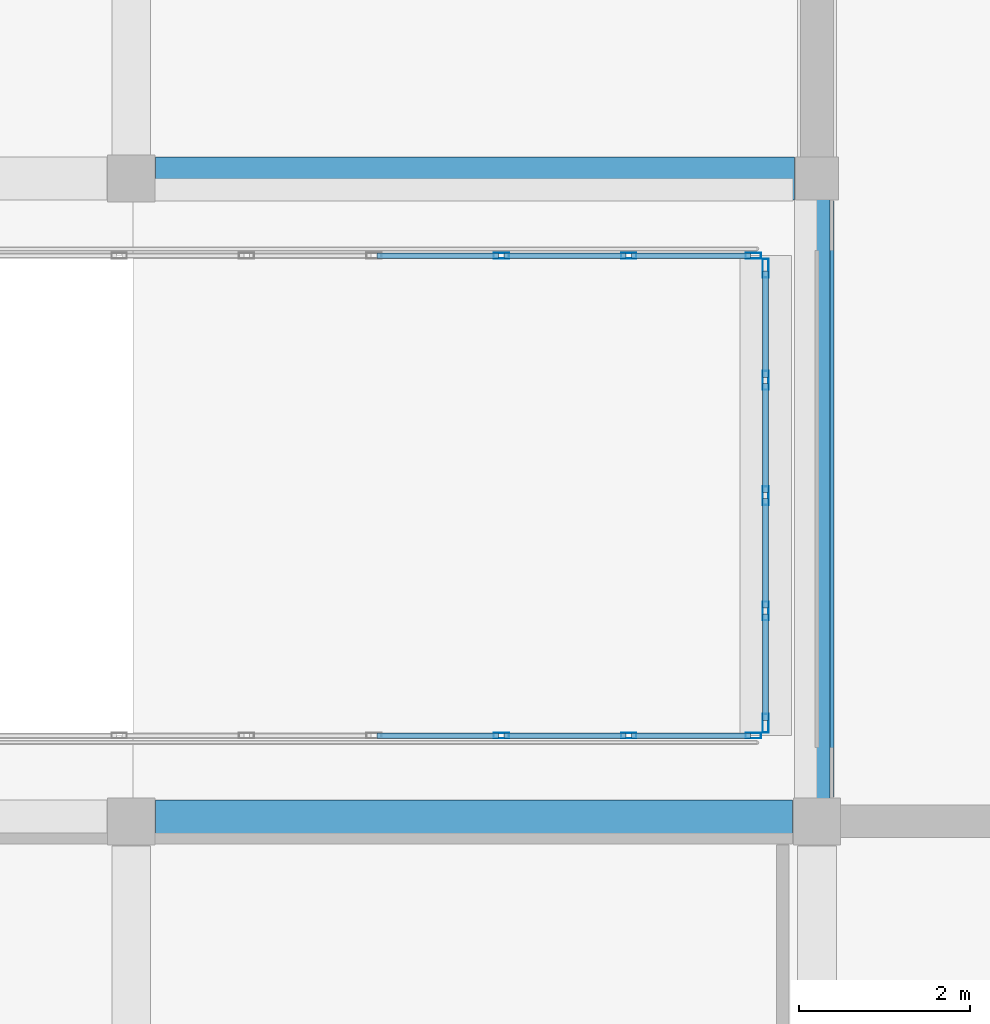
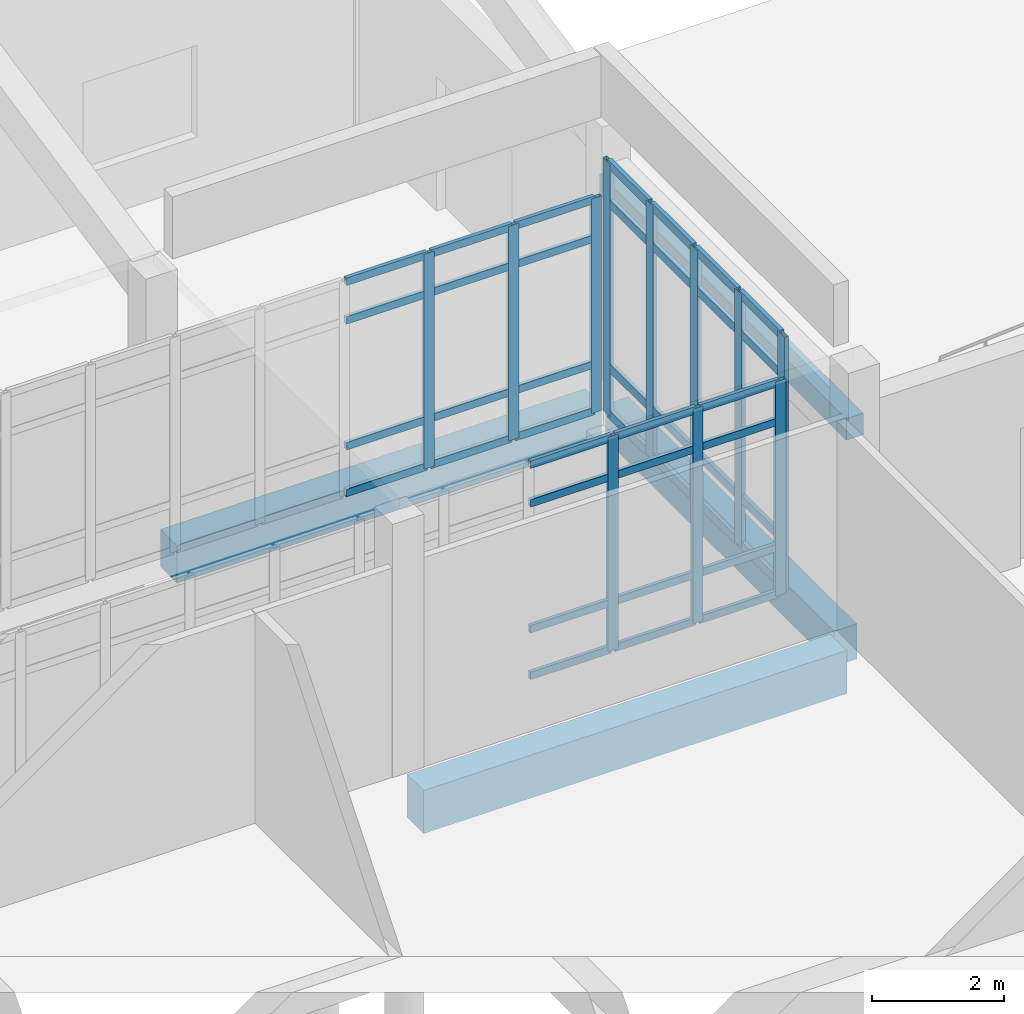
# One storey, part 119 of 173: 51 members, 4 beams, 3 elements without a shape of their own.
"""IFC4 building model written with IfcOpenShell, lengths in metres."""

from ifc_helpers import new_model, si_unit, direction, frame, origin, origin_2d, place, context, subcontext, project, spatial, rectangle, hollow_rectangle, extrude, material, layer, layer_set, material_profile, profile_set, type_object, element, aggregate, save


model = new_model("IFC4")

# Units and contexts
model_context = context("Model", 3, precision=1e-05, world=origin(), true_north=direction((0.0, 1.0)))
body_context = subcontext(model_context, "Body", "Model", "MODEL_VIEW")
ifc_project = project(units=[si_unit("LENGTHUNIT", "METRE"), si_unit("AREAUNIT", "SQUARE_METRE"), si_unit("VOLUMEUNIT", "CUBIC_METRE"), si_unit("PLANEANGLEUNIT", "RADIAN"), si_unit("MASSUNIT", "GRAM", prefix="KILO")], contexts=[model_context])

# Site, building, storey
site_placement = place(None, origin())
site = spatial("IfcSite", under=ifc_project, at=site_placement, CompositionType="ELEMENT")
building_placement = place(site_placement, origin())
building = spatial("IfcBuilding", under=site, at=building_placement, Name="Mawjan Specialist Oncology Clinic", CompositionType="ELEMENT")
storey_placement = place(building_placement, origin())
storey = spatial("IfcBuildingStorey", under=building, at=storey_placement, Name="L00", CompositionType="ELEMENT", Elevation=0.0)

# Beam
ifc_material_1 = material(Name="Concrete C45/55", Category="concrete")
ifc_material_profile_1 = material_profile(ifc_material_1, rectangle(XDim=0.5, YDim=0.800048828125, at=origin_2d()), Name="RC BM 500x800", Category="concrete")
ifc_profile_set_1 = profile_set([ifc_material_profile_1], Name="Concrete C45/55")
beam_type_1 = type_object("IfcBeamType", Name="BM-500x800", PredefinedType="BEAM", material=ifc_profile_set_1)
beam_1_placement = place(storey_placement, frame((140.284912109375, 98.300048828125, -0.85009765625), z_axis=(1.0, 0.0, 0.0), x_axis=(0.0, 1.0, 0.0)))
element("IfcBeam", 1, at=beam_1_placement, inside=storey, type_object=beam_type_1, Name="L00 Collector Beam BM-L00-0080", PredefinedType="BEAM", context=body_context, shape_type="SweptSolid", body=[
    extrude(rectangle(XDim=0.5, YDim=0.800048828125, at=origin_2d()), origin(), (0.0, 0.0, 1.0), 7.43017578125),
])

# Curtain wall, members
ifc_material_2 = material(Name="Unitised spectrally selective aluminium curtain wall", Category="aluminium")
ifc_layer_1 = layer(ifc_material_2, 0.179931640625, Name="Unitised spectrally selective aluminium curtain wall", Category="aluminium")
ifc_layer_set_1 = layer_set([ifc_layer_1], Name="Unitised spectrally selective aluminium curtain wall")
curtain_wall_type_1 = type_object("IfcCurtainWallType", Name="CW-33", PredefinedType="NOTDEFINED", material=ifc_layer_set_1)
curtain_wall_1_placement = place(storey_placement, origin())
curtain_wall_1 = element("IfcCurtainWall", 2, at=curtain_wall_1_placement, inside=storey, type_object=curtain_wall_type_1, Name="L00 Unitised Curtain Wall CW-L00-072", PredefinedType="NOTDEFINED")
ifc_material_3 = material(Name="Thermally broken aluminium 6063-T6", Category="aluminium")
ifc_material_profile_2 = material_profile(ifc_material_3, hollow_rectangle(XDim=0.06494140625, YDim=0.179931640625, WallThickness=0.00390625, at=origin_2d()), Name="ALU MULLION 180x65x4", Category="aluminium")
ifc_profile_set_2 = profile_set([ifc_material_profile_2], Name="Thermally broken aluminium 6063-T6")
member_type_1 = type_object("IfcMemberType", Name="CW-M180", PredefinedType="MULLION", material=ifc_profile_set_2)
member_1_placement = place(storey_placement, frame((147.257568359375, 104.89990234375, 0.0), z_axis=(0.0, 0.0, 1.0), x_axis=(0.0, -1.0, 0.0)))
member_1 = element("IfcMember", 3, at=member_1_placement, type_object=member_type_1, Name="CW-33 mullion 1", PredefinedType="MULLION", context=body_context, shape_type="SweptSolid", body=[
    extrude(hollow_rectangle(XDim=0.06494140625, YDim=0.179931640625, WallThickness=0.00390625, at=origin_2d()), origin(), (0.0, 0.0, 1.0), 3.985107421875),
])
member_2_placement = place(storey_placement, frame((145.803955078125, 104.89990234375, 0.0), z_axis=(0.0, 0.0, 1.0), x_axis=(0.0, -1.0, 0.0)))
member_2 = element("IfcMember", 4, at=member_2_placement, type_object=member_type_1, Name="CW-33 mullion 2", PredefinedType="MULLION", context=body_context, shape_type="SweptSolid", body=[
    extrude(hollow_rectangle(XDim=0.06494140625, YDim=0.179931640625, WallThickness=0.00390625, at=origin_2d()), origin(), (0.0, 0.0, 1.0), 3.985107421875),
])
member_3_placement = place(storey_placement, frame((144.31787109375, 104.89990234375, 0.0), z_axis=(0.0, 0.0, 1.0), x_axis=(0.0, -1.0, 0.0)))
member_3 = element("IfcMember", 5, at=member_3_placement, type_object=member_type_1, Name="CW-33 mullion 3", PredefinedType="MULLION", context=body_context, shape_type="SweptSolid", body=[
    extrude(hollow_rectangle(XDim=0.06494140625, YDim=0.179931640625, WallThickness=0.00390625, at=origin_2d()), origin(), (0.0, 0.0, 1.0), 3.985107421875),
])

curtain_wall_2_placement = place(storey_placement, origin())
curtain_wall_2 = element("IfcCurtainWall", 6, at=curtain_wall_2_placement, inside=storey, type_object=curtain_wall_type_1, Name="L00 Unitised Curtain Wall CW-L00-074", PredefinedType="NOTDEFINED")
member_4_placement = place(storey_placement, frame((144.31787109375, 99.300048828125, 0.0), z_axis=(0.0, 0.0, 1.0), x_axis=(0.0, 1.0, 0.0)))
member_4 = element("IfcMember", 7, at=member_4_placement, type_object=member_type_1, Name="CW-33 mullion 22", PredefinedType="MULLION", context=body_context, shape_type="SweptSolid", body=[
    extrude(hollow_rectangle(XDim=0.06494140625, YDim=0.179931640625, WallThickness=0.00390625, at=origin_2d()), origin(), (0.0, 0.0, 1.0), 3.985107421875),
])
member_5_placement = place(storey_placement, frame((145.803955078125, 99.300048828125, 0.0), z_axis=(0.0, 0.0, 1.0), x_axis=(0.0, 1.0, 0.0)))
member_5 = element("IfcMember", 8, at=member_5_placement, type_object=member_type_1, Name="CW-33 mullion 23", PredefinedType="MULLION", context=body_context, shape_type="SweptSolid", body=[
    extrude(hollow_rectangle(XDim=0.06494140625, YDim=0.179931640625, WallThickness=0.00390625, at=origin_2d()), origin(), (0.0, 0.0, 1.0), 3.985107421875),
])
member_6_placement = place(storey_placement, frame((147.257568359375, 99.300048828125, 0.0), z_axis=(0.0, 0.0, 1.0), x_axis=(0.0, 1.0, 0.0)))
member_6 = element("IfcMember", 9, at=member_6_placement, type_object=member_type_1, Name="CW-33 mullion 24", PredefinedType="MULLION", context=body_context, shape_type="SweptSolid", body=[
    extrude(hollow_rectangle(XDim=0.06494140625, YDim=0.179931640625, WallThickness=0.00390625, at=origin_2d()), origin(), (0.0, 0.0, 1.0), 3.985107421875),
])

ifc_material_4 = material(Name="Unitised spectrally selective aluminium curtain wall", Category="aluminium")
ifc_layer_2 = layer(ifc_material_4, 0.179931640625, Name="Unitised spectrally selective aluminium curtain wall", Category="aluminium")
ifc_layer_set_2 = layer_set([ifc_layer_2], Name="Unitised spectrally selective aluminium curtain wall")
curtain_wall_type_2 = type_object("IfcCurtainWallType", Name="CW-32", PredefinedType="NOTDEFINED", material=ifc_layer_set_2)
curtain_wall_3_placement = place(storey_placement, origin())
curtain_wall_3 = element("IfcCurtainWall", 10, at=curtain_wall_3_placement, inside=storey, type_object=curtain_wall_type_2, Name="L00 Unitised Curtain Wall CW-L00-071", PredefinedType="NOTDEFINED")
ifc_material_5 = material(Name="Thermally broken aluminium 6063-T6", Category="aluminium")
ifc_material_profile_3 = material_profile(ifc_material_5, hollow_rectangle(XDim=0.070068359375, YDim=0.219970703125, WallThickness=0.00390625, at=origin_2d()), Name="ALU MULLION 220x70x4", Category="aluminium")
ifc_profile_set_3 = profile_set([ifc_material_profile_3], Name="Thermally broken aluminium 6063-T6")
member_type_2 = type_object("IfcMemberType", Name="CW-M220", PredefinedType="MULLION", material=ifc_profile_set_3)
member_7_placement = place(storey_placement, frame((147.39990234375, 99.445068359375, 0.0), z_axis=(0.0, 0.0, 1.0), x_axis=(-1.0, 0.0, 0.0)))
member_7 = element("IfcMember", 11, at=member_7_placement, type_object=member_type_2, Name="CW-32 mullion 1", PredefinedType="MULLION", context=body_context, shape_type="SweptSolid", body=[
    extrude(hollow_rectangle(XDim=0.070068359375, YDim=0.219970703125, WallThickness=0.00390625, at=origin_2d()), origin(), (0.0, 0.0, 1.0), 4.699951171875),
])
member_8_placement = place(storey_placement, frame((147.39990234375, 100.7548828125, 0.0), z_axis=(0.0, 0.0, 1.0), x_axis=(-1.0, 0.0, 0.0)))
member_8 = element("IfcMember", 12, at=member_8_placement, type_object=member_type_2, Name="CW-32 mullion 2", PredefinedType="MULLION", context=body_context, shape_type="SweptSolid", body=[
    extrude(hollow_rectangle(XDim=0.070068359375, YDim=0.219970703125, WallThickness=0.00390625, at=origin_2d()), origin(), (0.0, 0.0, 1.0), 4.699951171875),
])
member_9_placement = place(storey_placement, frame((147.39990234375, 102.10009765625, 0.0), z_axis=(0.0, 0.0, 1.0), x_axis=(-1.0, 0.0, 0.0)))
member_9 = element("IfcMember", 13, at=member_9_placement, type_object=member_type_2, Name="CW-32 mullion 3", PredefinedType="MULLION", context=body_context, shape_type="SweptSolid", body=[
    extrude(hollow_rectangle(XDim=0.070068359375, YDim=0.219970703125, WallThickness=0.00390625, at=origin_2d()), origin(), (0.0, 0.0, 1.0), 4.699951171875),
])
member_10_placement = place(storey_placement, frame((147.39990234375, 103.445068359375, 0.0), z_axis=(0.0, 0.0, 1.0), x_axis=(-1.0, 0.0, 0.0)))
member_10 = element("IfcMember", 14, at=member_10_placement, type_object=member_type_2, Name="CW-32 mullion 4", PredefinedType="MULLION", context=body_context, shape_type="SweptSolid", body=[
    extrude(hollow_rectangle(XDim=0.070068359375, YDim=0.219970703125, WallThickness=0.00390625, at=origin_2d()), origin(), (0.0, 0.0, 1.0), 4.699951171875),
])
member_11_placement = place(storey_placement, frame((147.39990234375, 104.7548828125, 0.0), z_axis=(0.0, 0.0, 1.0), x_axis=(-1.0, 0.0, 0.0)))
member_11 = element("IfcMember", 15, at=member_11_placement, type_object=member_type_2, Name="CW-32 mullion 5", PredefinedType="MULLION", context=body_context, shape_type="SweptSolid", body=[
    extrude(hollow_rectangle(XDim=0.070068359375, YDim=0.219970703125, WallThickness=0.00390625, at=origin_2d()), origin(), (0.0, 0.0, 1.0), 4.699951171875),
])

# Member
ifc_material_6 = material(Name="Thermally broken aluminium 6063-T6", Category="aluminium")
ifc_material_profile_4 = material_profile(ifc_material_6, hollow_rectangle(XDim=0.06494140625, YDim=0.139892578125, WallThickness=0.00390625, at=origin_2d()), Name="ALU TRANSOM 140x65x4", Category="aluminium")
ifc_profile_set_4 = profile_set([ifc_material_profile_4], Name="Thermally broken aluminium 6063-T6")
member_type_3 = type_object("IfcMemberType", Name="CW-T140", PredefinedType="USERDEFINED", material=ifc_profile_set_4)
member_12_placement = place(storey_placement, frame((147.22509765625, 104.89990234375, 0.032470703125), z_axis=(-1.0, 0.0, 0.0), x_axis=(0.0, -1.0, 0.0)))
member_12 = element("IfcMember", 16, at=member_12_placement, type_object=member_type_3, Name="CW-33 transom 1.1", ObjectType="TRANSOM", PredefinedType="USERDEFINED", context=body_context, shape_type="SweptSolid", body=[
    extrude(hollow_rectangle(XDim=0.06494140625, YDim=0.139892578125, WallThickness=0.00390625, at=origin_2d()), origin(), (0.0, 0.0, 1.0), 1.388671875),
])

member_13_placement = place(storey_placement, frame((147.22509765625, 104.89990234375, 0.89990234375), z_axis=(-1.0, 0.0, 0.0), x_axis=(0.0, -1.0, 0.0)))
member_13 = element("IfcMember", 17, at=member_13_placement, type_object=member_type_3, Name="CW-33 transom 1.2", ObjectType="TRANSOM", PredefinedType="USERDEFINED", context=body_context, shape_type="SweptSolid", body=[
    extrude(hollow_rectangle(XDim=0.06494140625, YDim=0.139892578125, WallThickness=0.00390625, at=origin_2d()), origin(), (0.0, 0.0, 1.0), 1.388671875),
])

member_14_placement = place(storey_placement, frame((147.22509765625, 104.89990234375, 3.235107421875), z_axis=(-1.0, 0.0, 0.0), x_axis=(0.0, -1.0, 0.0)))
member_14 = element("IfcMember", 18, at=member_14_placement, type_object=member_type_3, Name="CW-33 transom 1.3", ObjectType="TRANSOM", PredefinedType="USERDEFINED", context=body_context, shape_type="SweptSolid", body=[
    extrude(hollow_rectangle(XDim=0.06494140625, YDim=0.139892578125, WallThickness=0.00390625, at=origin_2d()), origin(), (0.0, 0.0, 1.0), 1.388671875),
])

member_15_placement = place(storey_placement, frame((147.22509765625, 104.89990234375, 3.952392578125), z_axis=(-1.0, 0.0, 0.0), x_axis=(0.0, -1.0, 0.0)))
member_15 = element("IfcMember", 19, at=member_15_placement, type_object=member_type_3, Name="CW-33 transom 1.4", ObjectType="TRANSOM", PredefinedType="USERDEFINED", context=body_context, shape_type="SweptSolid", body=[
    extrude(hollow_rectangle(XDim=0.06494140625, YDim=0.139892578125, WallThickness=0.00390625, at=origin_2d()), origin(), (0.0, 0.0, 1.0), 1.388671875),
])

member_16_placement = place(storey_placement, frame((145.771484375, 104.89990234375, 0.032470703125), z_axis=(-1.0, 0.0, 0.0), x_axis=(0.0, -1.0, 0.0)))
member_16 = element("IfcMember", 20, at=member_16_placement, type_object=member_type_3, Name="CW-33 transom 2.1", ObjectType="TRANSOM", PredefinedType="USERDEFINED", context=body_context, shape_type="SweptSolid", body=[
    extrude(hollow_rectangle(XDim=0.06494140625, YDim=0.139892578125, WallThickness=0.00390625, at=origin_2d()), origin(), (0.0, 0.0, 1.0), 1.421142578125),
])

member_17_placement = place(storey_placement, frame((145.771484375, 104.89990234375, 0.89990234375), z_axis=(-1.0, 0.0, 0.0), x_axis=(0.0, -1.0, 0.0)))
member_17 = element("IfcMember", 21, at=member_17_placement, type_object=member_type_3, Name="CW-33 transom 2.2", ObjectType="TRANSOM", PredefinedType="USERDEFINED", context=body_context, shape_type="SweptSolid", body=[
    extrude(hollow_rectangle(XDim=0.06494140625, YDim=0.139892578125, WallThickness=0.00390625, at=origin_2d()), origin(), (0.0, 0.0, 1.0), 1.421142578125),
])

member_18_placement = place(storey_placement, frame((145.771484375, 104.89990234375, 3.235107421875), z_axis=(-1.0, 0.0, 0.0), x_axis=(0.0, -1.0, 0.0)))
member_18 = element("IfcMember", 22, at=member_18_placement, type_object=member_type_3, Name="CW-33 transom 2.3", ObjectType="TRANSOM", PredefinedType="USERDEFINED", context=body_context, shape_type="SweptSolid", body=[
    extrude(hollow_rectangle(XDim=0.06494140625, YDim=0.139892578125, WallThickness=0.00390625, at=origin_2d()), origin(), (0.0, 0.0, 1.0), 1.421142578125),
])

member_19_placement = place(storey_placement, frame((145.771484375, 104.89990234375, 3.952392578125), z_axis=(-1.0, 0.0, 0.0), x_axis=(0.0, -1.0, 0.0)))
member_19 = element("IfcMember", 23, at=member_19_placement, type_object=member_type_3, Name="CW-33 transom 2.4", ObjectType="TRANSOM", PredefinedType="USERDEFINED", context=body_context, shape_type="SweptSolid", body=[
    extrude(hollow_rectangle(XDim=0.06494140625, YDim=0.139892578125, WallThickness=0.00390625, at=origin_2d()), origin(), (0.0, 0.0, 1.0), 1.421142578125),
])

member_20_placement = place(storey_placement, frame((144.285400390625, 104.89990234375, 0.032470703125), z_axis=(-1.0, 0.0, 0.0), x_axis=(0.0, -1.0, 0.0)))
member_20 = element("IfcMember", 24, at=member_20_placement, type_object=member_type_3, Name="CW-33 transom 3.1", ObjectType="TRANSOM", PredefinedType="USERDEFINED", context=body_context, shape_type="SweptSolid", body=[
    extrude(hollow_rectangle(XDim=0.06494140625, YDim=0.139892578125, WallThickness=0.00390625, at=origin_2d()), origin(), (0.0, 0.0, 1.0), 1.421142578125),
])

member_21_placement = place(storey_placement, frame((144.285400390625, 104.89990234375, 0.89990234375), z_axis=(-1.0, 0.0, 0.0), x_axis=(0.0, -1.0, 0.0)))
member_21 = element("IfcMember", 25, at=member_21_placement, type_object=member_type_3, Name="CW-33 transom 3.2", ObjectType="TRANSOM", PredefinedType="USERDEFINED", context=body_context, shape_type="SweptSolid", body=[
    extrude(hollow_rectangle(XDim=0.06494140625, YDim=0.139892578125, WallThickness=0.00390625, at=origin_2d()), origin(), (0.0, 0.0, 1.0), 1.421142578125),
])

member_22_placement = place(storey_placement, frame((144.285400390625, 104.89990234375, 3.235107421875), z_axis=(-1.0, 0.0, 0.0), x_axis=(0.0, -1.0, 0.0)))
member_22 = element("IfcMember", 26, at=member_22_placement, type_object=member_type_3, Name="CW-33 transom 3.3", ObjectType="TRANSOM", PredefinedType="USERDEFINED", context=body_context, shape_type="SweptSolid", body=[
    extrude(hollow_rectangle(XDim=0.06494140625, YDim=0.139892578125, WallThickness=0.00390625, at=origin_2d()), origin(), (0.0, 0.0, 1.0), 1.421142578125),
])

member_23_placement = place(storey_placement, frame((144.285400390625, 104.89990234375, 3.952392578125), z_axis=(-1.0, 0.0, 0.0), x_axis=(0.0, -1.0, 0.0)))
member_23 = element("IfcMember", 27, at=member_23_placement, type_object=member_type_3, Name="CW-33 transom 3.4", ObjectType="TRANSOM", PredefinedType="USERDEFINED", context=body_context, shape_type="SweptSolid", body=[
    extrude(hollow_rectangle(XDim=0.06494140625, YDim=0.139892578125, WallThickness=0.00390625, at=origin_2d()), origin(), (0.0, 0.0, 1.0), 1.421142578125),
])

aggregate(curtain_wall_1, [member_1, member_2, member_3, member_12, member_13, member_14, member_15, member_16, member_17, member_18, member_19, member_20, member_21, member_22, member_23])

member_24_placement = place(storey_placement, frame((142.8642578125, 99.300048828125, 0.032470703125), z_axis=(1.0, 0.0, 0.0), x_axis=(0.0, 1.0, 0.0)))
member_24 = element("IfcMember", 28, at=member_24_placement, type_object=member_type_3, Name="CW-33 transom 21.1", ObjectType="TRANSOM", PredefinedType="USERDEFINED", context=body_context, shape_type="SweptSolid", body=[
    extrude(hollow_rectangle(XDim=0.06494140625, YDim=0.139892578125, WallThickness=0.00390625, at=origin_2d()), origin(), (0.0, 0.0, 1.0), 1.421142578125),
])

member_25_placement = place(storey_placement, frame((142.8642578125, 99.300048828125, 0.89990234375), z_axis=(1.0, 0.0, 0.0), x_axis=(0.0, 1.0, 0.0)))
member_25 = element("IfcMember", 29, at=member_25_placement, type_object=member_type_3, Name="CW-33 transom 21.2", ObjectType="TRANSOM", PredefinedType="USERDEFINED", context=body_context, shape_type="SweptSolid", body=[
    extrude(hollow_rectangle(XDim=0.06494140625, YDim=0.139892578125, WallThickness=0.00390625, at=origin_2d()), origin(), (0.0, 0.0, 1.0), 1.421142578125),
])

member_26_placement = place(storey_placement, frame((142.8642578125, 99.300048828125, 3.235107421875), z_axis=(1.0, 0.0, 0.0), x_axis=(0.0, 1.0, 0.0)))
member_26 = element("IfcMember", 30, at=member_26_placement, type_object=member_type_3, Name="CW-33 transom 21.3", ObjectType="TRANSOM", PredefinedType="USERDEFINED", context=body_context, shape_type="SweptSolid", body=[
    extrude(hollow_rectangle(XDim=0.06494140625, YDim=0.139892578125, WallThickness=0.00390625, at=origin_2d()), origin(), (0.0, 0.0, 1.0), 1.421142578125),
])

member_27_placement = place(storey_placement, frame((142.8642578125, 99.300048828125, 3.952392578125), z_axis=(1.0, 0.0, 0.0), x_axis=(0.0, 1.0, 0.0)))
member_27 = element("IfcMember", 31, at=member_27_placement, type_object=member_type_3, Name="CW-33 transom 21.4", ObjectType="TRANSOM", PredefinedType="USERDEFINED", context=body_context, shape_type="SweptSolid", body=[
    extrude(hollow_rectangle(XDim=0.06494140625, YDim=0.139892578125, WallThickness=0.00390625, at=origin_2d()), origin(), (0.0, 0.0, 1.0), 1.421142578125),
])

member_28_placement = place(storey_placement, frame((144.350341796875, 99.300048828125, 0.032470703125), z_axis=(1.0, 0.0, 0.0), x_axis=(0.0, 1.0, 0.0)))
member_28 = element("IfcMember", 32, at=member_28_placement, type_object=member_type_3, Name="CW-33 transom 22.1", ObjectType="TRANSOM", PredefinedType="USERDEFINED", context=body_context, shape_type="SweptSolid", body=[
    extrude(hollow_rectangle(XDim=0.06494140625, YDim=0.139892578125, WallThickness=0.00390625, at=origin_2d()), origin(), (0.0, 0.0, 1.0), 1.421142578125),
])

member_29_placement = place(storey_placement, frame((144.350341796875, 99.300048828125, 0.89990234375), z_axis=(1.0, 0.0, 0.0), x_axis=(0.0, 1.0, 0.0)))
member_29 = element("IfcMember", 33, at=member_29_placement, type_object=member_type_3, Name="CW-33 transom 22.2", ObjectType="TRANSOM", PredefinedType="USERDEFINED", context=body_context, shape_type="SweptSolid", body=[
    extrude(hollow_rectangle(XDim=0.06494140625, YDim=0.139892578125, WallThickness=0.00390625, at=origin_2d()), origin(), (0.0, 0.0, 1.0), 1.421142578125),
])

member_30_placement = place(storey_placement, frame((144.350341796875, 99.300048828125, 3.235107421875), z_axis=(1.0, 0.0, 0.0), x_axis=(0.0, 1.0, 0.0)))
member_30 = element("IfcMember", 34, at=member_30_placement, type_object=member_type_3, Name="CW-33 transom 22.3", ObjectType="TRANSOM", PredefinedType="USERDEFINED", context=body_context, shape_type="SweptSolid", body=[
    extrude(hollow_rectangle(XDim=0.06494140625, YDim=0.139892578125, WallThickness=0.00390625, at=origin_2d()), origin(), (0.0, 0.0, 1.0), 1.421142578125),
])

member_31_placement = place(storey_placement, frame((144.350341796875, 99.300048828125, 3.952392578125), z_axis=(1.0, 0.0, 0.0), x_axis=(0.0, 1.0, 0.0)))
member_31 = element("IfcMember", 35, at=member_31_placement, type_object=member_type_3, Name="CW-33 transom 22.4", ObjectType="TRANSOM", PredefinedType="USERDEFINED", context=body_context, shape_type="SweptSolid", body=[
    extrude(hollow_rectangle(XDim=0.06494140625, YDim=0.139892578125, WallThickness=0.00390625, at=origin_2d()), origin(), (0.0, 0.0, 1.0), 1.421142578125),
])

member_32_placement = place(storey_placement, frame((145.83642578125, 99.300048828125, 0.032470703125), z_axis=(1.0, 0.0, 0.0), x_axis=(0.0, 1.0, 0.0)))
member_32 = element("IfcMember", 36, at=member_32_placement, type_object=member_type_3, Name="CW-33 transom 23.1", ObjectType="TRANSOM", PredefinedType="USERDEFINED", context=body_context, shape_type="SweptSolid", body=[
    extrude(hollow_rectangle(XDim=0.06494140625, YDim=0.139892578125, WallThickness=0.00390625, at=origin_2d()), origin(), (0.0, 0.0, 1.0), 1.388671875),
])

member_33_placement = place(storey_placement, frame((145.83642578125, 99.300048828125, 0.89990234375), z_axis=(1.0, 0.0, 0.0), x_axis=(0.0, 1.0, 0.0)))
member_33 = element("IfcMember", 37, at=member_33_placement, type_object=member_type_3, Name="CW-33 transom 23.2", ObjectType="TRANSOM", PredefinedType="USERDEFINED", context=body_context, shape_type="SweptSolid", body=[
    extrude(hollow_rectangle(XDim=0.06494140625, YDim=0.139892578125, WallThickness=0.00390625, at=origin_2d()), origin(), (0.0, 0.0, 1.0), 1.388671875),
])

member_34_placement = place(storey_placement, frame((145.83642578125, 99.300048828125, 3.235107421875), z_axis=(1.0, 0.0, 0.0), x_axis=(0.0, 1.0, 0.0)))
member_34 = element("IfcMember", 38, at=member_34_placement, type_object=member_type_3, Name="CW-33 transom 23.3", ObjectType="TRANSOM", PredefinedType="USERDEFINED", context=body_context, shape_type="SweptSolid", body=[
    extrude(hollow_rectangle(XDim=0.06494140625, YDim=0.139892578125, WallThickness=0.00390625, at=origin_2d()), origin(), (0.0, 0.0, 1.0), 1.388671875),
])

member_35_placement = place(storey_placement, frame((145.83642578125, 99.300048828125, 3.952392578125), z_axis=(1.0, 0.0, 0.0), x_axis=(0.0, 1.0, 0.0)))
member_35 = element("IfcMember", 39, at=member_35_placement, type_object=member_type_3, Name="CW-33 transom 23.4", ObjectType="TRANSOM", PredefinedType="USERDEFINED", context=body_context, shape_type="SweptSolid", body=[
    extrude(hollow_rectangle(XDim=0.06494140625, YDim=0.139892578125, WallThickness=0.00390625, at=origin_2d()), origin(), (0.0, 0.0, 1.0), 1.388671875),
])

aggregate(curtain_wall_2, [member_4, member_5, member_6, member_24, member_25, member_26, member_27, member_28, member_29, member_30, member_31, member_32, member_33, member_34, member_35])

ifc_material_7 = material(Name="Thermally broken aluminium 6063-T6", Category="aluminium")
ifc_material_profile_5 = material_profile(ifc_material_7, hollow_rectangle(XDim=0.070068359375, YDim=0.159912109375, WallThickness=0.00390625, at=origin_2d()), Name="ALU TRANSOM 160x70x4", Category="aluminium")
ifc_profile_set_5 = profile_set([ifc_material_profile_5], Name="Thermally broken aluminium 6063-T6")
member_type_4 = type_object("IfcMemberType", Name="CW-T160", PredefinedType="USERDEFINED", material=ifc_profile_set_5)
member_36_placement = place(storey_placement, frame((147.39990234375, 99.47998046875, 0.034912109375), z_axis=(0.0, 1.0, 0.0), x_axis=(-1.0, 0.0, 0.0)))
member_36 = element("IfcMember", 40, at=member_36_placement, type_object=member_type_4, Name="CW-32 transom 1.1", ObjectType="TRANSOM", PredefinedType="USERDEFINED", context=body_context, shape_type="SweptSolid", body=[
    extrude(hollow_rectangle(XDim=0.070068359375, YDim=0.159912109375, WallThickness=0.00390625, at=origin_2d()), origin(), (0.0, 0.0, 1.0), 1.239990234375),
])

member_37_placement = place(storey_placement, frame((147.39990234375, 99.47998046875, 0.89990234375), z_axis=(0.0, 1.0, 0.0), x_axis=(-1.0, 0.0, 0.0)))
member_37 = element("IfcMember", 41, at=member_37_placement, type_object=member_type_4, Name="CW-32 transom 1.2", ObjectType="TRANSOM", PredefinedType="USERDEFINED", context=body_context, shape_type="SweptSolid", body=[
    extrude(hollow_rectangle(XDim=0.070068359375, YDim=0.159912109375, WallThickness=0.00390625, at=origin_2d()), origin(), (0.0, 0.0, 1.0), 1.239990234375),
])

member_38_placement = place(storey_placement, frame((147.39990234375, 99.47998046875, 3.949951171875), z_axis=(0.0, 1.0, 0.0), x_axis=(-1.0, 0.0, 0.0)))
member_38 = element("IfcMember", 42, at=member_38_placement, type_object=member_type_4, Name="CW-32 transom 1.3", ObjectType="TRANSOM", PredefinedType="USERDEFINED", context=body_context, shape_type="SweptSolid", body=[
    extrude(hollow_rectangle(XDim=0.070068359375, YDim=0.159912109375, WallThickness=0.00390625, at=origin_2d()), origin(), (0.0, 0.0, 1.0), 1.239990234375),
])

member_39_placement = place(storey_placement, frame((147.39990234375, 99.47998046875, 4.6650390625), z_axis=(0.0, 1.0, 0.0), x_axis=(-1.0, 0.0, 0.0)))
member_39 = element("IfcMember", 43, at=member_39_placement, type_object=member_type_4, Name="CW-32 transom 1.4", ObjectType="TRANSOM", PredefinedType="USERDEFINED", context=body_context, shape_type="SweptSolid", body=[
    extrude(hollow_rectangle(XDim=0.070068359375, YDim=0.159912109375, WallThickness=0.00390625, at=origin_2d()), origin(), (0.0, 0.0, 1.0), 1.239990234375),
])

member_40_placement = place(storey_placement, frame((147.39990234375, 100.7900390625, 0.034912109375), z_axis=(0.0, 1.0, 0.0), x_axis=(-1.0, 0.0, 0.0)))
member_40 = element("IfcMember", 44, at=member_40_placement, type_object=member_type_4, Name="CW-32 transom 2.1", ObjectType="TRANSOM", PredefinedType="USERDEFINED", context=body_context, shape_type="SweptSolid", body=[
    extrude(hollow_rectangle(XDim=0.070068359375, YDim=0.159912109375, WallThickness=0.00390625, at=origin_2d()), origin(), (0.0, 0.0, 1.0), 1.27490234375),
])

member_41_placement = place(storey_placement, frame((147.39990234375, 100.7900390625, 0.89990234375), z_axis=(0.0, 1.0, 0.0), x_axis=(-1.0, 0.0, 0.0)))
member_41 = element("IfcMember", 45, at=member_41_placement, type_object=member_type_4, Name="CW-32 transom 2.2", ObjectType="TRANSOM", PredefinedType="USERDEFINED", context=body_context, shape_type="SweptSolid", body=[
    extrude(hollow_rectangle(XDim=0.070068359375, YDim=0.159912109375, WallThickness=0.00390625, at=origin_2d()), origin(), (0.0, 0.0, 1.0), 1.27490234375),
])

member_42_placement = place(storey_placement, frame((147.39990234375, 100.7900390625, 3.949951171875), z_axis=(0.0, 1.0, 0.0), x_axis=(-1.0, 0.0, 0.0)))
member_42 = element("IfcMember", 46, at=member_42_placement, type_object=member_type_4, Name="CW-32 transom 2.3", ObjectType="TRANSOM", PredefinedType="USERDEFINED", context=body_context, shape_type="SweptSolid", body=[
    extrude(hollow_rectangle(XDim=0.070068359375, YDim=0.159912109375, WallThickness=0.00390625, at=origin_2d()), origin(), (0.0, 0.0, 1.0), 1.27490234375),
])

member_43_placement = place(storey_placement, frame((147.39990234375, 100.7900390625, 4.6650390625), z_axis=(0.0, 1.0, 0.0), x_axis=(-1.0, 0.0, 0.0)))
member_43 = element("IfcMember", 47, at=member_43_placement, type_object=member_type_4, Name="CW-32 transom 2.4", ObjectType="TRANSOM", PredefinedType="USERDEFINED", context=body_context, shape_type="SweptSolid", body=[
    extrude(hollow_rectangle(XDim=0.070068359375, YDim=0.159912109375, WallThickness=0.00390625, at=origin_2d()), origin(), (0.0, 0.0, 1.0), 1.27490234375),
])

member_44_placement = place(storey_placement, frame((147.39990234375, 102.135009765625, 0.034912109375), z_axis=(0.0, 1.0, 0.0), x_axis=(-1.0, 0.0, 0.0)))
member_44 = element("IfcMember", 48, at=member_44_placement, type_object=member_type_4, Name="CW-32 transom 3.1", ObjectType="TRANSOM", PredefinedType="USERDEFINED", context=body_context, shape_type="SweptSolid", body=[
    extrude(hollow_rectangle(XDim=0.070068359375, YDim=0.159912109375, WallThickness=0.00390625, at=origin_2d()), origin(), (0.0, 0.0, 1.0), 1.27490234375),
])

member_45_placement = place(storey_placement, frame((147.39990234375, 102.135009765625, 0.89990234375), z_axis=(0.0, 1.0, 0.0), x_axis=(-1.0, 0.0, 0.0)))
member_45 = element("IfcMember", 49, at=member_45_placement, type_object=member_type_4, Name="CW-32 transom 3.2", ObjectType="TRANSOM", PredefinedType="USERDEFINED", context=body_context, shape_type="SweptSolid", body=[
    extrude(hollow_rectangle(XDim=0.070068359375, YDim=0.159912109375, WallThickness=0.00390625, at=origin_2d()), origin(), (0.0, 0.0, 1.0), 1.27490234375),
])

member_46_placement = place(storey_placement, frame((147.39990234375, 102.135009765625, 3.949951171875), z_axis=(0.0, 1.0, 0.0), x_axis=(-1.0, 0.0, 0.0)))
member_46 = element("IfcMember", 50, at=member_46_placement, type_object=member_type_4, Name="CW-32 transom 3.3", ObjectType="TRANSOM", PredefinedType="USERDEFINED", context=body_context, shape_type="SweptSolid", body=[
    extrude(hollow_rectangle(XDim=0.070068359375, YDim=0.159912109375, WallThickness=0.00390625, at=origin_2d()), origin(), (0.0, 0.0, 1.0), 1.27490234375),
])

member_47_placement = place(storey_placement, frame((147.39990234375, 102.135009765625, 4.6650390625), z_axis=(0.0, 1.0, 0.0), x_axis=(-1.0, 0.0, 0.0)))
member_47 = element("IfcMember", 51, at=member_47_placement, type_object=member_type_4, Name="CW-32 transom 3.4", ObjectType="TRANSOM", PredefinedType="USERDEFINED", context=body_context, shape_type="SweptSolid", body=[
    extrude(hollow_rectangle(XDim=0.070068359375, YDim=0.159912109375, WallThickness=0.00390625, at=origin_2d()), origin(), (0.0, 0.0, 1.0), 1.27490234375),
])

member_48_placement = place(storey_placement, frame((147.39990234375, 103.47998046875, 0.034912109375), z_axis=(0.0, 1.0, 0.0), x_axis=(-1.0, 0.0, 0.0)))
member_48 = element("IfcMember", 52, at=member_48_placement, type_object=member_type_4, Name="CW-32 transom 4.1", ObjectType="TRANSOM", PredefinedType="USERDEFINED", context=body_context, shape_type="SweptSolid", body=[
    extrude(hollow_rectangle(XDim=0.070068359375, YDim=0.159912109375, WallThickness=0.00390625, at=origin_2d()), origin(), (0.0, 0.0, 1.0), 1.239990234375),
])

member_49_placement = place(storey_placement, frame((147.39990234375, 103.47998046875, 0.89990234375), z_axis=(0.0, 1.0, 0.0), x_axis=(-1.0, 0.0, 0.0)))
member_49 = element("IfcMember", 53, at=member_49_placement, type_object=member_type_4, Name="CW-32 transom 4.2", ObjectType="TRANSOM", PredefinedType="USERDEFINED", context=body_context, shape_type="SweptSolid", body=[
    extrude(hollow_rectangle(XDim=0.070068359375, YDim=0.159912109375, WallThickness=0.00390625, at=origin_2d()), origin(), (0.0, 0.0, 1.0), 1.239990234375),
])

member_50_placement = place(storey_placement, frame((147.39990234375, 103.47998046875, 3.949951171875), z_axis=(0.0, 1.0, 0.0), x_axis=(-1.0, 0.0, 0.0)))
member_50 = element("IfcMember", 54, at=member_50_placement, type_object=member_type_4, Name="CW-32 transom 4.3", ObjectType="TRANSOM", PredefinedType="USERDEFINED", context=body_context, shape_type="SweptSolid", body=[
    extrude(hollow_rectangle(XDim=0.070068359375, YDim=0.159912109375, WallThickness=0.00390625, at=origin_2d()), origin(), (0.0, 0.0, 1.0), 1.239990234375),
])

member_51_placement = place(storey_placement, frame((147.39990234375, 103.47998046875, 4.6650390625), z_axis=(0.0, 1.0, 0.0), x_axis=(-1.0, 0.0, 0.0)))
member_51 = element("IfcMember", 55, at=member_51_placement, type_object=member_type_4, Name="CW-32 transom 4.4", ObjectType="TRANSOM", PredefinedType="USERDEFINED", context=body_context, shape_type="SweptSolid", body=[
    extrude(hollow_rectangle(XDim=0.070068359375, YDim=0.159912109375, WallThickness=0.00390625, at=origin_2d()), origin(), (0.0, 0.0, 1.0), 1.239990234375),
])

aggregate(curtain_wall_3, [member_7, member_8, member_9, member_10, member_11, member_36, member_37, member_38, member_39, member_40, member_41, member_42, member_43, member_44, member_45, member_46, member_47, member_48, member_49, member_50, member_51])

# Beams
ifc_material_8 = material(Name="Concrete C40/50", Category="concrete")
ifc_material_profile_6 = material_profile(ifc_material_8, rectangle(XDim=0.300048828125, YDim=0.39990234375, at=origin_2d()), Name="RC LINTEL 300x400", Category="concrete")
ifc_profile_set_6 = profile_set([ifc_material_profile_6], Name="Concrete C40/50")
beam_type_2 = type_object("IfcBeamType", Name="LNT-300", PredefinedType="LINTEL", material=ifc_profile_set_6)
beam_2_placement = place(storey_placement, frame((148.0, 98.300048828125, 3.449951171875), z_axis=(0.0, 1.0, 0.0), x_axis=(-1.0, 0.0, 0.0)))
element("IfcBeam", 56, at=beam_2_placement, inside=storey, type_object=beam_type_2, Name="L00 Reinforced Concrete Lintel 4", PredefinedType="LINTEL", context=body_context, shape_type="SweptSolid", body=[
    extrude(rectangle(XDim=0.300048828125, YDim=0.39990234375, at=origin_2d()), origin(), (0.0, 0.0, 1.0), 7.5),
])
ifc_material_9 = material(Name="Concrete C45/55", Category="concrete")
ifc_material_profile_7 = material_profile(ifc_material_9, rectangle(XDim=0.39990234375, YDim=0.64990234375, at=origin_2d()), Name="RC BM 400x650", Category="concrete")
ifc_profile_set_7 = profile_set([ifc_material_profile_7], Name="Concrete C45/55")
beam_type_3 = type_object("IfcBeamType", Name="SP-400x650", PredefinedType="SPANDREL", material=ifc_profile_set_7)
beam_3_placement = place(storey_placement, frame((148.0, 98.5849609375, -0.77490234375), z_axis=(0.0, 1.0, 0.0), x_axis=(-1.0, 0.0, 0.0)))
element("IfcBeam", 57, at=beam_3_placement, inside=storey, type_object=beam_type_3, Name="L00 Spandrel Beam BM-L00-0206", PredefinedType="SPANDREL", context=body_context, shape_type="SweptSolid", body=[
    extrude(rectangle(XDim=0.39990234375, YDim=0.64990234375, at=origin_2d()), origin(), (0.0, 0.0, 1.0), 6.955078125),
])
ifc_material_10 = material(Name="Concrete C45/55", Category="concrete")
ifc_material_profile_8 = material_profile(ifc_material_10, rectangle(XDim=0.5, YDim=0.699951171875, at=origin_2d()), Name="RC BM 500x700", Category="concrete")
ifc_profile_set_8 = profile_set([ifc_material_profile_8], Name="Concrete C45/55")
beam_type_4 = type_object("IfcBeamType", Name="SP-500x700", PredefinedType="SPANDREL", material=ifc_profile_set_8)
beam_4_placement = place(storey_placement, frame((140.284912109375, 105.800048828125, -0.800048828125), z_axis=(1.0, 0.0, 0.0), x_axis=(0.0, 1.0, 0.0)))
element("IfcBeam", 58, at=beam_4_placement, inside=storey, type_object=beam_type_4, Name="L00 Spandrel Beam BM-L00-0099", PredefinedType="SPANDREL", context=body_context, shape_type="SweptSolid", body=[
    extrude(rectangle(XDim=0.5, YDim=0.699951171875, at=origin_2d()), origin(), (0.0, 0.0, 1.0), 7.455078125),
])

save(model, "model.ifc")
